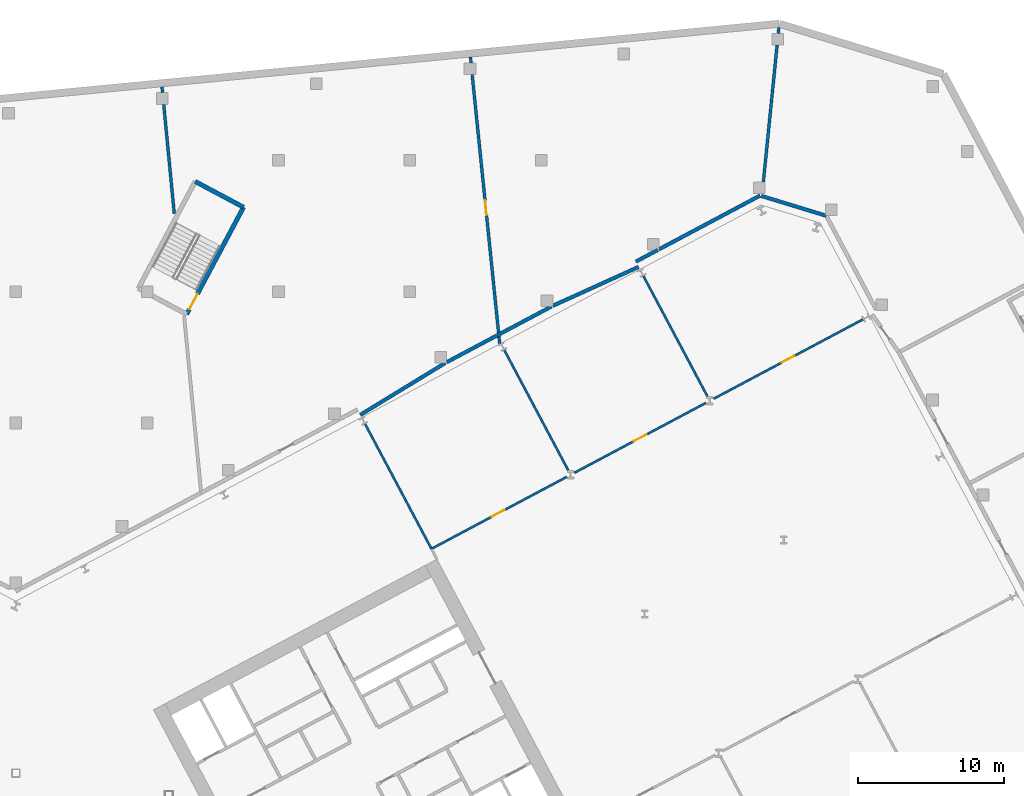
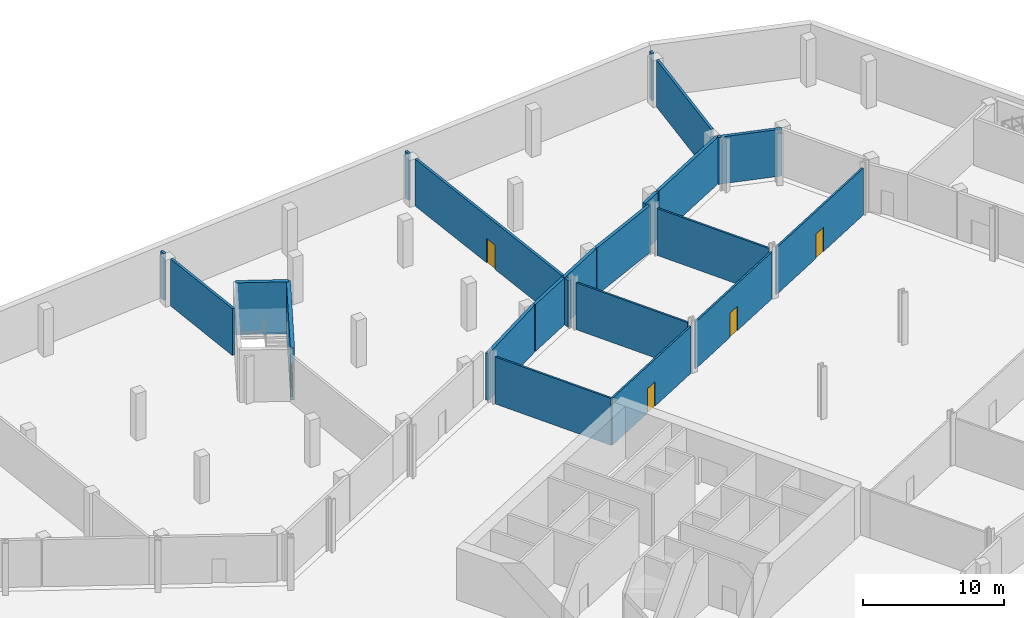
# One storey, part 18 of 27: 21 walls, 5 doors, 5 openings.
"""IFC4 building model written with IfcOpenShell, lengths in metres."""

from ifc_helpers import new_model, si_unit, direction, frame, frame_2d, origin, place, context, subcontext, project, spatial, rectangle, extrude, material, layer, layer_set, type_object, element, fill, save


model = new_model("IFC4")

# Units and contexts
model_context = context("Model", 3, precision=1e-05, world=origin(), true_north=direction((0.0, 1.0)))
body_context = subcontext(model_context, "Body", "Model", "MODEL_VIEW")
ifc_project = project(units=[si_unit("LENGTHUNIT", "METRE"), si_unit("AREAUNIT", "SQUARE_METRE"), si_unit("VOLUMEUNIT", "CUBIC_METRE"), si_unit("PLANEANGLEUNIT", "RADIAN"), si_unit("MASSUNIT", "GRAM", prefix="KILO")], contexts=[model_context])

# Site, building, storey
site_placement = place(None, origin())
site = spatial("IfcSite", under=ifc_project, at=site_placement, CompositionType="ELEMENT")
building_placement = place(site_placement, origin())
building = spatial("IfcBuilding", under=site, at=building_placement, Name="Cormorant Relay Tower", CompositionType="ELEMENT")
storey_placement = place(building_placement, frame((0.0, 0.0, -4.5)))
storey = spatial("IfcBuildingStorey", under=building, at=storey_placement, Name="B1", CompositionType="ELEMENT", Elevation=-4.5)

# Walls
ifc_material_1 = material(Name="Concrete masonry 20 MPa", Category="masonry")
ifc_layer_1 = layer(ifc_material_1, 0.25)
ifc_layer_set_1 = layer_set([ifc_layer_1], Name="Fire separation wall 250")
wall_type_1 = type_object("IfcWallType", Name="Fire separation wall 250", PredefinedType="SOLIDWALL", material=ifc_layer_set_1)
wall_1_placement = place(storey_placement, frame((51.086669921875, 51.555908203125, 0.0), z_axis=(0.0, 0.0, 1.0), x_axis=(0.956310816829, -0.292351879788, 0.0)))
element("IfcWall", 1, at=wall_1_placement, inside=storey, type_object=wall_type_1, Name="Partition", PredefinedType="SOLIDWALL", context=body_context, shape_type="SweptSolid", body=[
    extrude(rectangle(XDim=4.6513671875, YDim=0.25, at=frame_2d((2.32568359375, 0.0))), origin(), (0.0, 0.0, 1.0), 4.050048828125),
])
wall_2_placement = place(storey_placement, frame((32.988525390625, 42.00390625, 0.0), z_axis=(0.0, 0.0, 1.0), x_axis=(0.882952706143, 0.469461945971, 0.0)))
element("IfcWall", 2, at=wall_2_placement, inside=storey, type_object=wall_type_1, Name="Partition", PredefinedType="SOLIDWALL", context=body_context, shape_type="SweptSolid", body=[
    extrude(rectangle(XDim=4.209228515625, YDim=0.25, at=frame_2d((2.1044921875, 0.0))), origin(), (0.0, 0.0, 1.0), 4.050048828125),
])
wall_3_placement = place(storey_placement, frame((36.79296875, 44.026611328125, 0.0), z_axis=(0.0, 0.0, 1.0), x_axis=(0.910758391685, 0.412939646892, 0.0)))
element("IfcWall", 3, at=wall_3_placement, inside=storey, type_object=wall_type_1, Name="Partition", PredefinedType="SOLIDWALL", context=body_context, shape_type="SweptSolid", body=[
    extrude(rectangle(XDim=6.457275390625, YDim=0.25, at=frame_2d((3.228515625, 0.0))), origin(), (0.0, 0.0, 1.0), 4.050048828125),
])
wall_4_placement = place(storey_placement, frame((42.483154296875, 47.05224609375, 0.0), z_axis=(0.0, 0.0, 1.0), x_axis=(0.882940813988, 0.469484311766, 0.0)))
element("IfcWall", 4, at=wall_4_placement, inside=storey, type_object=wall_type_1, Name="Partition", PredefinedType="SOLIDWALL", context=body_context, shape_type="SweptSolid", body=[
    extrude(rectangle(XDim=1.699462890625, YDim=0.25, at=frame_2d((0.849609375, 0.0))), origin(), (0.0, 0.0, 1.0), 4.050048828125),
])
wall_5_placement = place(storey_placement, frame((44.072021484375, 47.89697265625, 0.0), z_axis=(0.0, 0.0, 1.0), x_axis=(0.882948932855, 0.469469042612, 0.0)))
element("IfcWall", 5, at=wall_5_placement, inside=storey, type_object=wall_type_1, Name="Partition", PredefinedType="SOLIDWALL", context=body_context, shape_type="SweptSolid", body=[
    extrude(rectangle(XDim=7.848876953125, YDim=0.25, at=frame_2d((3.92431640625, 0.0))), origin(), (0.0, 0.0, 1.0), 4.050048828125),
])
wall_6_placement = place(storey_placement, frame((23.6025390625, 36.552001953125, 0.0), z_axis=(0.0, 0.0, 1.0), x_axis=(0.853356100333, 0.521328462703, 0.0)))
element("IfcWall", 6, at=wall_6_placement, inside=storey, type_object=wall_type_1, Name="Partition", PredefinedType="SOLIDWALL", context=body_context, shape_type="SweptSolid", body=[
    extrude(rectangle(XDim=6.8251953125, YDim=0.25, at=frame_2d((3.41259765625, 0.0))), origin(), (0.0, 0.0, 1.0), 4.050048828125),
])
wall_7_placement = place(storey_placement, frame((29.513916015625, 40.156494140625, 0.0), z_axis=(0.0, 0.0, 1.0), x_axis=(0.882952549127, 0.469462241283, 0.0)))
element("IfcWall", 7, at=wall_7_placement, inside=storey, type_object=wall_type_1, Name="Partition", PredefinedType="SOLIDWALL", context=body_context, shape_type="SweptSolid", body=[
    extrude(rectangle(XDim=3.89501953125, YDim=0.25, at=frame_2d((1.947509765625, 0.0))), origin(), (0.0, 0.0, 1.0), 4.050048828125),
])

# Wall, opening, door
ifc_material_2 = material(Name="Gypsum board on steel stud", Category="steel")
ifc_layer_2 = layer(ifc_material_2, 0.14990234375)
ifc_layer_set_2 = layer_set([ifc_layer_2], Name="Partition 150")
wall_type_2 = type_object("IfcWallType", Name="Partition 150", PredefinedType="PARTITIONING", material=ifc_layer_set_2)
wall_8_placement = place(storey_placement, frame((37.75537109375, 32.306640625, 0.0), z_axis=(0.0, 0.0, 1.0), x_axis=(-0.882947426762, -0.469471875169, 0.0)))
wall_8 = element("IfcWall", 8, at=wall_8_placement, inside=storey, type_object=wall_type_2, Name="Partition", PredefinedType="PARTITIONING", context=body_context, shape_type="SweptSolid", body=[
    extrude(rectangle(XDim=10.503173828125, YDim=0.14990234375, at=frame_2d((5.25146484375, 0.0))), origin(), (0.0, 0.0, 1.0), 4.050048828125),
])
opening_1_placement = place(wall_8_placement, frame((4.82958984375, 0.0, 0.0)))
opening_1 = element("IfcOpeningElement", 9, at=opening_1_placement, cuts=wall_8, Name="Opening PD1-047", PredefinedType="OPENING", context=body_context, shape_type="SweptSolid", body=[
    extrude(rectangle(XDim=1.0, YDim=2.10009765625, at=frame_2d((0.5, 1.050048828125))), frame((0.0, 0.0849609375, 0.0), z_axis=(0.0, -1.0, 0.0), x_axis=(1.0, 0.0, 0.0)), (0.0, 0.0, 1.0), 0.169921875),
])
ifc_material_3 = material(Name="Steel door leaf", Category="steel")
door_type_1 = type_object("IfcDoorType", Name="Door single 1000", OperationType="SINGLE_SWING_LEFT", PredefinedType="DOOR", material=ifc_material_3)
door_1_placement = place(opening_1_placement, frame((1.0, 0.0, 0.0), z_axis=(0.0, 0.0, 1.0), x_axis=(-1.0, 0.0, 0.0)))
door_1 = element("IfcDoor", 10, at=door_1_placement, inside=storey, type_object=door_type_1, Name="Door", OperationType="SINGLE_SWING_LEFT", OverallHeight=2.10009765625, OverallWidth=1.0, PredefinedType="DOOR", context=body_context, shape_type="SweptSolid", body=[
    extrude(rectangle(XDim=1.0, YDim=2.10009765625, at=frame_2d((0.5, 1.050048828125))), frame((0.0, 0.02490234375, 0.0), z_axis=(0.0, -1.0, 0.0), x_axis=(1.0, 0.0, 0.0)), (0.0, 0.0, 1.0), 0.050048828125),
])
fill(opening_1, door_1)

wall_9_placement = place(storey_placement, frame((47.29052734375, 37.37646484375, 0.0), z_axis=(0.0, 0.0, 1.0), x_axis=(-0.88295489766, -0.469457824194, 0.0)))
wall_9 = element("IfcWall", 11, at=wall_9_placement, inside=storey, type_object=wall_type_2, Name="Partition", PredefinedType="PARTITIONING", context=body_context, shape_type="SweptSolid", body=[
    extrude(rectangle(XDim=10.204345703125, YDim=0.14990234375, at=frame_2d((5.10205078125, 0.0))), origin(), (0.0, 0.0, 1.0), 4.050048828125),
])
opening_2_placement = place(wall_9_placement, frame((4.6015625, 0.0, 0.0)))
opening_2 = element("IfcOpeningElement", 12, at=opening_2_placement, cuts=wall_9, Name="Opening PD1-048", PredefinedType="OPENING", context=body_context, shape_type="SweptSolid", body=[
    extrude(rectangle(XDim=1.0, YDim=2.10009765625, at=frame_2d((0.5, 1.050048828125))), frame((0.0, 0.0849609375, 0.0), z_axis=(0.0, -1.0, 0.0), x_axis=(1.0, 0.0, 0.0)), (0.0, 0.0, 1.0), 0.169921875),
])
door_2_placement = place(opening_2_placement, frame((1.0, 0.0, 0.0), z_axis=(0.0, 0.0, 1.0), x_axis=(-1.0, 0.0, 0.0)))
door_2 = element("IfcDoor", 13, at=door_2_placement, inside=storey, type_object=door_type_1, Name="Door", OperationType="SINGLE_SWING_LEFT", OverallHeight=2.10009765625, OverallWidth=1.0, PredefinedType="DOOR", context=body_context, shape_type="SweptSolid", body=[
    extrude(rectangle(XDim=1.0, YDim=2.10009765625, at=frame_2d((0.5, 1.050048828125))), frame((0.0, 0.02490234375, 0.0), z_axis=(0.0, -1.0, 0.0), x_axis=(1.0, 0.0, 0.0)), (0.0, 0.0, 1.0), 0.050048828125),
])
fill(opening_2, door_2)

wall_10_placement = place(storey_placement, frame((58.045654296875, 43.09521484375, 0.0), z_axis=(0.0, 0.0, 1.0), x_axis=(-0.882944872937, -0.469476678179, 0.0)))
wall_10 = element("IfcWall", 14, at=wall_10_placement, inside=storey, type_object=wall_type_2, Name="Partition", PredefinedType="PARTITIONING", context=body_context, shape_type="SweptSolid", body=[
    extrude(rectangle(XDim=11.586181640625, YDim=0.14990234375, at=frame_2d((5.79296875, 0.0))), origin(), (0.0, 0.0, 1.0), 4.050048828125),
])
opening_3_placement = place(wall_10_placement, frame((5.313720703125, 0.0, 0.0)))
opening_3 = element("IfcOpeningElement", 15, at=opening_3_placement, cuts=wall_10, Name="Opening PD1-049", PredefinedType="OPENING", context=body_context, shape_type="SweptSolid", body=[
    extrude(rectangle(XDim=1.0, YDim=2.10009765625, at=frame_2d((0.5, 1.050048828125))), frame((0.0, 0.0849609375, 0.0), z_axis=(0.0, -1.0, 0.0), x_axis=(1.0, 0.0, 0.0)), (0.0, 0.0, 1.0), 0.169921875),
])
door_3_placement = place(opening_3_placement, frame((1.0, 0.0, 0.0), z_axis=(0.0, 0.0, 1.0), x_axis=(-1.0, 0.0, 0.0)))
door_3 = element("IfcDoor", 16, at=door_3_placement, inside=storey, type_object=door_type_1, Name="Door", OperationType="SINGLE_SWING_LEFT", OverallHeight=2.10009765625, OverallWidth=1.0, PredefinedType="DOOR", context=body_context, shape_type="SweptSolid", body=[
    extrude(rectangle(XDim=1.0, YDim=2.10009765625, at=frame_2d((0.5, 1.050048828125))), frame((0.0, 0.02490234375, 0.0), z_axis=(0.0, -1.0, 0.0), x_axis=(1.0, 0.0, 0.0)), (0.0, 0.0, 1.0), 0.050048828125),
])
fill(opening_3, door_3)

# Walls
wall_11_placement = place(storey_placement, frame((37.849609375, 32.761962890625, 0.0), z_axis=(0.0, 0.0, 1.0), x_axis=(-0.469481854544, 0.882942120557, 0.0)))
element("IfcWall", 17, at=wall_11_placement, inside=storey, type_object=wall_type_2, Name="Partition", PredefinedType="PARTITIONING", context=body_context, shape_type="SweptSolid", body=[
    extrude(rectangle(XDim=9.326171875, YDim=0.14990234375, at=frame_2d((4.6630859375, 0.0))), origin(), (0.0, 0.0, 1.0), 4.050048828125),
])
wall_12_placement = place(storey_placement, frame((23.935791015625, 35.925537109375, 0.0), z_axis=(0.0, 0.0, 1.0), x_axis=(0.469473365889, -0.882946634129, 0.0)))
element("IfcWall", 18, at=wall_12_placement, inside=storey, type_object=wall_type_2, Name="Partition", PredefinedType="PARTITIONING", context=body_context, shape_type="SweptSolid", body=[
    extrude(rectangle(XDim=9.687255859375, YDim=0.14990234375, at=frame_2d((4.84375, 0.0))), origin(), (0.0, 0.0, 1.0), 4.050048828125),
])
wall_13_placement = place(storey_placement, frame((47.385498046875, 37.832275390625, 0.0), z_axis=(0.0, 0.0, 1.0), x_axis=(-0.469472297485, 0.882947202212, 0.0)))
element("IfcWall", 19, at=wall_13_placement, inside=storey, type_object=wall_type_2, Name="Partition", PredefinedType="PARTITIONING", context=body_context, shape_type="SweptSolid", body=[
    extrude(rectangle(XDim=9.32568359375, YDim=0.14990234375, at=frame_2d((4.662841796875, 0.0))), origin(), (0.0, 0.0, 1.0), 4.050048828125),
])
ifc_material_4 = material(Name="Concrete masonry 20 MPa", Category="masonry")
ifc_layer_3 = layer(ifc_material_4, 0.199951171875)
ifc_layer_set_3 = layer_set([ifc_layer_3], Name="Plant room wall 200")
wall_type_3 = type_object("IfcWallType", Name="Plant room wall 200", PredefinedType="PARTITIONING", material=ifc_layer_set_3)
wall_14_placement = place(storey_placement, frame((52.28759765625, 63.08935546875, 0.0), z_axis=(0.0, 0.0, 1.0), x_axis=(-0.099933903019, -0.994994077886, 0.0)))
element("IfcWall", 20, at=wall_14_placement, inside=storey, type_object=wall_type_3, Name="Partition", PredefinedType="PARTITIONING", context=body_context, shape_type="SweptSolid", body=[
    extrude(rectangle(XDim=0.393310546875, YDim=0.199951171875, at=frame_2d((0.19677734375, 0.0))), origin(), (0.0, 0.0, 1.0), 4.050048828125),
])
wall_15_placement = place(storey_placement, frame((52.167724609375, 61.89794921875, 0.0), z_axis=(0.0, 0.0, 1.0), x_axis=(-0.100124403506, -0.994974926228, 0.0)))
element("IfcWall", 21, at=wall_15_placement, inside=storey, type_object=wall_type_3, Name="Partition", PredefinedType="PARTITIONING", context=body_context, shape_type="SweptSolid", body=[
    extrude(rectangle(XDim=9.42431640625, YDim=0.199951171875, at=frame_2d((4.712158203125, 0.0))), origin(), (0.0, 0.0, 1.0), 4.050048828125),
])
wall_16_placement = place(storey_placement, frame((31.154541015625, 61.072021484375, 0.0), z_axis=(0.0, 0.0, 1.0), x_axis=(0.095769432991, -0.995403544149, 0.0)))
element("IfcWall", 22, at=wall_16_placement, inside=storey, type_object=wall_type_3, Name="Partition", PredefinedType="PARTITIONING", context=body_context, shape_type="SweptSolid", body=[
    extrude(rectangle(XDim=0.407958984375, YDim=0.199951171875, at=frame_2d((0.2041015625, 0.0))), origin(), (0.0, 0.0, 1.0), 4.050048828125),
])

# Wall, opening, door
wall_17_placement = place(storey_placement, frame((31.270751953125, 59.865966796875, 0.0), z_axis=(0.0, 0.0, 1.0), x_axis=(0.10182537806, -0.994802288087, 0.0)))
wall_17 = element("IfcWall", 23, at=wall_17_placement, inside=storey, type_object=wall_type_3, Name="Partition", PredefinedType="PARTITIONING", context=body_context, shape_type="SweptSolid", body=[
    extrude(rectangle(XDim=18.509765625, YDim=0.199951171875, at=frame_2d((9.2548828125, 0.0))), origin(), (0.0, 0.0, 1.0), 4.050048828125),
])
opening_4_placement = place(wall_17_placement, frame((8.6689453125, 0.0, 0.0)))
opening_4 = element("IfcOpeningElement", 24, at=opening_4_placement, cuts=wall_17, Name="Opening PD1-036", PredefinedType="OPENING", context=body_context, shape_type="SweptSolid", body=[
    extrude(rectangle(XDim=1.0, YDim=2.10009765625, at=frame_2d((0.5, 1.050048828125))), frame((0.0, 0.10986328125, 0.0), z_axis=(0.0, -1.0, 0.0), x_axis=(1.0, 0.0, 0.0)), (0.0, 0.0, 1.0), 0.219970703125),
])
door_4_placement = place(opening_4_placement, origin())
door_4 = element("IfcDoor", 25, at=door_4_placement, inside=storey, type_object=door_type_1, Name="Door", OperationType="SINGLE_SWING_RIGHT", OverallHeight=2.10009765625, OverallWidth=1.0, PredefinedType="DOOR", context=body_context, shape_type="SweptSolid", body=[
    extrude(rectangle(XDim=1.0, YDim=2.10009765625, at=frame_2d((0.5, 1.050048828125))), frame((0.0, 0.02490234375, 0.0), z_axis=(0.0, -1.0, 0.0), x_axis=(1.0, 0.0, 0.0)), (0.0, 0.0, 1.0), 0.050048828125),
])
fill(opening_4, door_4)

# Walls
wall_18_placement = place(storey_placement, frame((10.019287109375, 59.034912109375, 0.0), z_axis=(0.0, 0.0, 1.0), x_axis=(0.095781713328, -0.995402362561, 0.0)))
element("IfcWall", 26, at=wall_18_placement, inside=storey, type_object=wall_type_3, Name="Partition", PredefinedType="PARTITIONING", context=body_context, shape_type="SweptSolid", body=[
    extrude(rectangle(XDim=0.40283203125, YDim=0.199951171875, at=frame_2d((0.201416015625, 0.0))), origin(), (0.0, 0.0, 1.0), 4.050048828125),
])
wall_19_placement = place(storey_placement, frame((10.135009765625, 57.833984375, 0.0), z_axis=(0.0, 0.0, 1.0), x_axis=(0.095941692949, -0.995386955688, 0.0)))
element("IfcWall", 27, at=wall_19_placement, inside=storey, type_object=wall_type_3, Name="Partition", PredefinedType="PARTITIONING", context=body_context, shape_type="SweptSolid", body=[
    extrude(rectangle(XDim=7.527099609375, YDim=0.199951171875, at=frame_2d((3.763671875, 0.0))), origin(), (0.0, 0.0, 1.0), 4.050048828125),
])
ifc_material_5 = material(Name="Concrete 50 MPa", Category="concrete")
ifc_layer_4 = layer(ifc_material_5, 0.300048828125)
ifc_layer_set_4 = layer_set([ifc_layer_4], Name="Remote stair wall 300")
wall_type_4 = type_object("IfcWallType", Name="Remote stair wall 300", PredefinedType="SHEAR", material=ifc_layer_set_4)
wall_20_placement = place(storey_placement, frame((12.292724609375, 52.54443359375, 0.0), z_axis=(0.0, 0.0, 1.0), x_axis=(0.882948761726, -0.46946936446, 0.0)))
element("IfcWall", 28, at=wall_20_placement, inside=storey, type_object=wall_type_4, Name="B1 exit stair RN1 wall", PredefinedType="SHEAR", context=body_context, shape_type="SweptSolid", body=[
    extrude(rectangle(XDim=3.75, YDim=0.300048828125, at=frame_2d((1.875, 0.0))), origin(), (0.0, 0.0, 1.0), 4.5),
])

# Wall, opening, door
wall_21_placement = place(storey_placement, frame((15.603759765625, 50.783935546875, 0.0), z_axis=(0.0, 0.0, 1.0), x_axis=(-0.469464178475, -0.882951519127, 0.0)))
wall_21 = element("IfcWall", 29, at=wall_21_placement, inside=storey, type_object=wall_type_4, Name="B1 exit stair RN1 wall", PredefinedType="SHEAR", context=body_context, shape_type="SweptSolid", body=[
    extrude(rectangle(XDim=8.2998046875, YDim=0.300048828125, at=frame_2d((4.14990234375, 0.0))), origin(), (0.0, 0.0, 1.0), 4.5),
])
opening_5_placement = place(wall_21_placement, frame((6.72509765625, 0.0, 0.0)))
opening_5 = element("IfcOpeningElement", 30, at=opening_5_placement, cuts=wall_21, Name="Opening CDB-005", PredefinedType="OPENING", context=body_context, shape_type="SweptSolid", body=[
    extrude(rectangle(XDim=1.199951171875, YDim=2.10009765625, at=frame_2d((0.60009765625, 1.050048828125))), frame((0.0, 0.159912109375, 0.0), z_axis=(0.0, -1.0, 0.0), x_axis=(1.0, 0.0, 0.0)), (0.0, 0.0, 1.0), 0.320068359375),
])
ifc_material_6 = material(Name="Steel fire door", Category="steel")
door_type_2 = type_object("IfcDoorType", Name="Core stair door 1200x2100", OperationType="SINGLE_SWING_LEFT", PredefinedType="DOOR", material=ifc_material_6)
door_5_placement = place(opening_5_placement, frame((1.199951171875, 0.0, 0.0), z_axis=(0.0, 0.0, 1.0), x_axis=(-1.0, 0.0, 0.0)))
door_5 = element("IfcDoor", 31, at=door_5_placement, inside=storey, type_object=door_type_2, Name="Exit stair RN1 door", OperationType="SINGLE_SWING_LEFT", OverallHeight=2.10009765625, OverallWidth=1.199951171875, PredefinedType="DOOR", context=body_context, shape_type="SweptSolid", body=[
    extrude(rectangle(XDim=1.199951171875, YDim=2.10009765625, at=frame_2d((0.60009765625, 1.050048828125))), frame((0.0, 0.02490234375, 0.0), z_axis=(0.0, -1.0, 0.0), x_axis=(1.0, 0.0, 0.0)), (0.0, 0.0, 1.0), 0.050048828125),
])
fill(opening_5, door_5)

save(model, "model.ifc")
